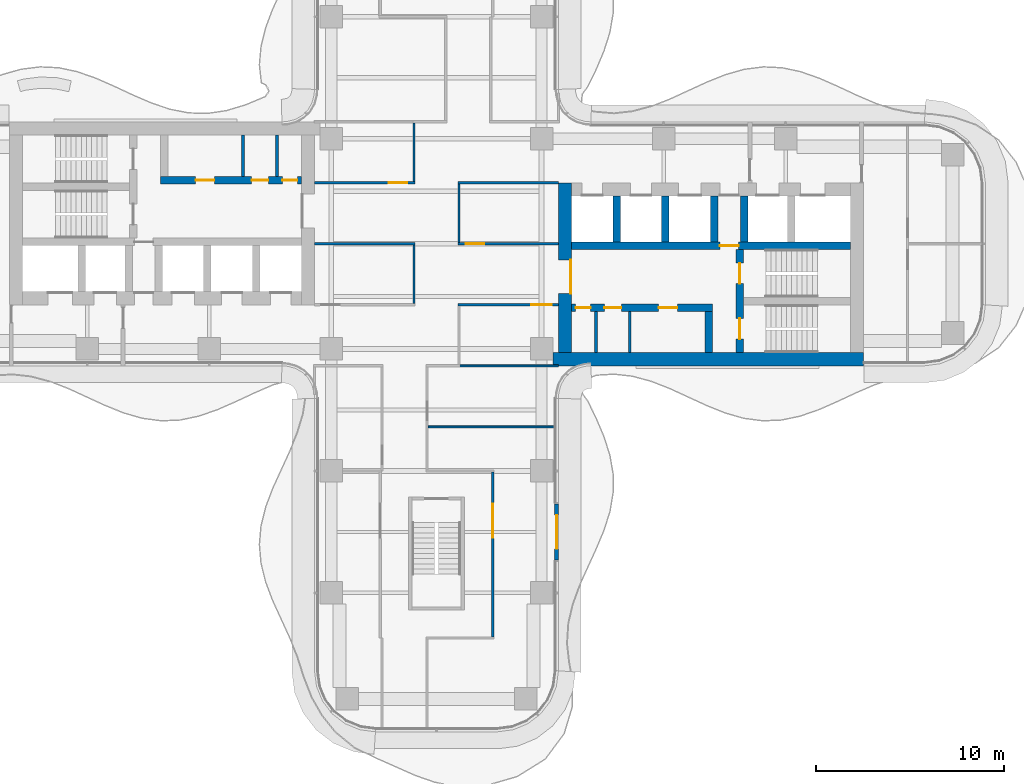
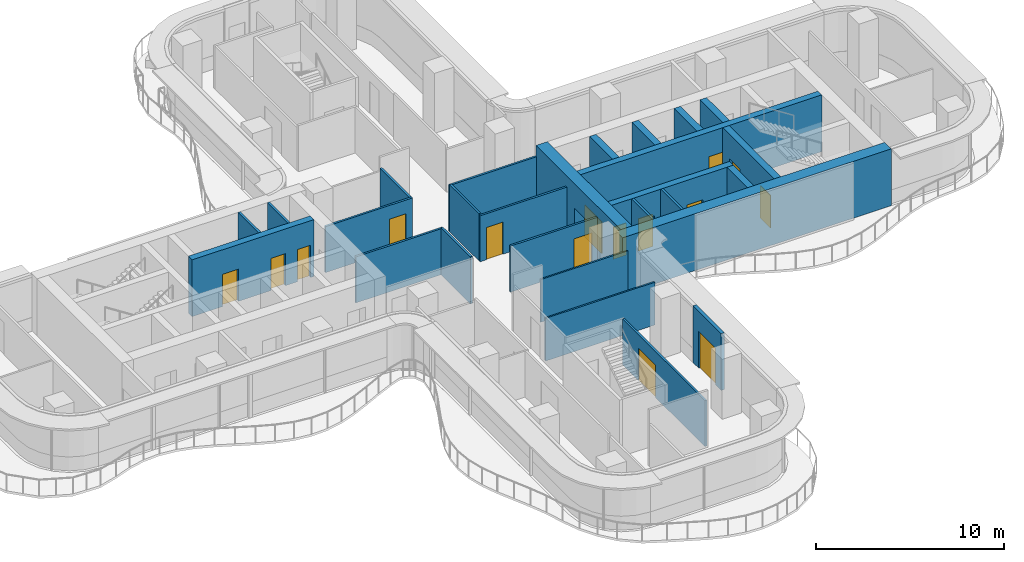
# One storey, part 13 of 17: 27 walls, 15 doors, 15 openings.
"""IFC4 building model written with IfcOpenShell, lengths in metres."""

from ifc_helpers import new_model, si_unit, direction, frame, frame_2d, origin, place, context, subcontext, project, spatial, rectangle, extrude, source, transform, mapped, material, layer, layer_set, type_object, element, fill, save


model = new_model("IFC4")

# Units and contexts
model_context = context("Model", 3, precision=1e-05, world=origin(), true_north=direction((0.0, 1.0)))
body_context = subcontext(model_context, "Body", "Model", "MODEL_VIEW")
ifc_project = project(units=[si_unit("LENGTHUNIT", "METRE"), si_unit("AREAUNIT", "SQUARE_METRE"), si_unit("VOLUMEUNIT", "CUBIC_METRE"), si_unit("PLANEANGLEUNIT", "RADIAN"), si_unit("MASSUNIT", "GRAM", prefix="KILO")], contexts=[model_context])

# Site, building, storey
site_placement = place(None, origin())
site = spatial("IfcSite", under=ifc_project, at=site_placement, CompositionType="ELEMENT")
building_placement = place(site_placement, origin())
building = spatial("IfcBuilding", under=site, at=building_placement, Name="Trellis Farm Tower", CompositionType="ELEMENT")
storey_placement = place(building_placement, frame((0.0, 0.0, 185.39990234375)))
storey = spatial("IfcBuildingStorey", under=building, at=storey_placement, Name="L40", CompositionType="ELEMENT", Elevation=185.39990234375)

# Wall, opening, door
ifc_material_1 = material(Name="Concrete C70/85", Category="concrete")
ifc_layer_1 = layer(ifc_material_1, 0.699951171875)
ifc_layer_set_1 = layer_set([ifc_layer_1], Name="CORE OUTER WALL 700 CONCRETE C70/85")
wall_type_1 = type_object("IfcWallType", Name="CORE OUTER WALL 700 CONCRETE C70/85", PredefinedType="SHEAR", material=ifc_layer_set_1)
shared_shape_1 = source(origin(), body_context, "Body", "SweptSolid", [
    extrude(rectangle(XDim=9.050048828125, YDim=0.699951171875, at=frame_2d((4.52490234375, 0.0))), origin(), (0.0, 0.0, 1.0), 3.7001953125),
])
wall_1_placement = place(storey_placement, frame((6.85009765625, -5.800048828125, 0.0), z_axis=(0.0, 0.0, 1.0), x_axis=(0.0, 1.0, 0.0)))
wall_1 = element("IfcWall", 1, at=wall_1_placement, inside=storey, type_object=wall_type_1, Name="Core wall", PredefinedType="SHEAR", context=body_context, shape_type="MappedRepresentation", body=[
    mapped(shared_shape_1, transform((0.0, 0.0, 0.0))),
])
shared_shape_2 = source(origin(), body_context, "Body", "SweptSolid", [
    extrude(rectangle(XDim=1.800048828125, YDim=2.10009765625, at=frame_2d((0.89990234375, 1.050048828125))), frame((0.0, 0.360107421875, 0.0), z_axis=(0.0, -1.0, 0.0), x_axis=(1.0, 0.0, 0.0)), (0.0, 0.0, 1.0), 0.72021484375),
])
opening_1_placement = place(wall_1_placement, frame((3.14990234375, 0.0, 0.0)))
opening_1 = element("IfcOpeningElement", 2, at=opening_1_placement, cuts=wall_1, Name="Opening DC1", PredefinedType="OPENING", context=body_context, shape_type="MappedRepresentation", body=[
    mapped(shared_shape_2, transform((0.0, 0.0, 0.0))),
])
ifc_material_2 = material(Name="Steel", Category="steel")
door_type_1 = type_object("IfcDoorType", Name="CORE FIRE DOOR DOUBLE 1800 X 2100", OperationType="DOUBLE_DOOR_SINGLE_SWING", PredefinedType="DOOR", material=ifc_material_2)
shared_shape_3 = source(origin(), body_context, "Body", "SweptSolid", [
    extrude(rectangle(XDim=1.800048828125, YDim=2.10009765625, at=frame_2d((0.89990234375, 1.050048828125))), frame((0.0, -0.27490234375, 0.0), z_axis=(0.0, -1.0, 0.0), x_axis=(1.0, 0.0, 0.0)), (0.0, 0.0, 1.0), 0.050048828125),
])
door_1_placement = place(opening_1_placement, origin())
door_1 = element("IfcDoor", 3, at=door_1_placement, inside=storey, type_object=door_type_1, Name="Core door", OperationType="DOUBLE_DOOR_SINGLE_SWING", OverallHeight=2.10009765625, OverallWidth=1.800048828125, PredefinedType="DOOR", context=body_context, shape_type="MappedRepresentation", body=[
    mapped(shared_shape_3, transform((0.0, 0.0, 0.0))),
])
fill(opening_1, door_1)

# Walls
ifc_layer_2 = layer(ifc_material_1, 0.39990234375)
ifc_layer_set_2 = layer_set([ifc_layer_2], Name="CORE INNER WALL 400 CONCRETE C70/85")
wall_type_2 = type_object("IfcWallType", Name="CORE INNER WALL 400 CONCRETE C70/85", PredefinedType="SHEAR", material=ifc_layer_set_2)
shared_shape_4 = source(origin(), body_context, "Body", "SweptSolid", [
    extrude(rectangle(XDim=2.449951171875, YDim=0.39990234375, at=frame_2d((1.22509765625, 0.0))), origin(), (0.0, 0.0, 1.0), 3.7001953125),
])
for number, where, z_axis, x_axis, name in (
    (4, (9.60009765625, 0.10009765625, 0.0), (0.0, 0.0, 1.0), (0.0, 1.0, 0.0), "Core wall"),
    (5, (12.199951171875, 0.10009765625, 0.0), (0.0, 0.0, 1.0), (0.0, 1.0, 0.0), "Core wall"),
    (6, (14.800048828125, 0.10009765625, 0.0), (0.0, 0.0, 1.0), (0.0, 1.0, 0.0), "Core wall"),
    (7, (16.39990234375, 0.10009765625, 0.0), (0.0, 0.0, 1.0), (0.0, 1.0, 0.0), "Core wall"),
):
    element("IfcWall", number, at=place(storey_placement, frame(where, z_axis=z_axis, x_axis=x_axis)), inside=storey, type_object=wall_type_2, Name=name, PredefinedType="SHEAR", context=body_context, shape_type="MappedRepresentation", body=[
        mapped(shared_shape_4, transform((0.0, 0.0, 0.0))),
    ])
shared_shape_5 = source(origin(), body_context, "Body", "SweptSolid", [
    extrude(rectangle(XDim=16.550048828125, YDim=0.699951171875, at=frame_2d((8.27490234375, 0.0))), origin(), (0.0, 0.0, 1.0), 3.7001953125),
])
wall_2_placement = place(storey_placement, frame((6.199951171875, -6.14990234375, 0.0), z_axis=(0.0, 0.0, 1.0), x_axis=(1.0, 0.0, 0.0)))
element("IfcWall", 8, at=wall_2_placement, inside=storey, type_object=wall_type_1, Name="Core wall", PredefinedType="SHEAR", context=body_context, shape_type="MappedRepresentation", body=[
    mapped(shared_shape_5, transform((0.0, 0.0, 0.0))),
])

# Wall, openings, doors
shared_shape_6 = source(origin(), body_context, "Body", "SweptSolid", [
    extrude(rectangle(XDim=7.5, YDim=0.39990234375, at=frame_2d((3.75, 0.0))), origin(), (0.0, 0.0, 1.0), 3.7001953125),
])
wall_3_placement = place(storey_placement, frame((7.199951171875, -3.39990234375, 0.0), z_axis=(0.0, 0.0, 1.0), x_axis=(1.0, 0.0, 0.0)))
wall_3 = element("IfcWall", 9, at=wall_3_placement, inside=storey, type_object=wall_type_2, Name="Core wall", PredefinedType="SHEAR", context=body_context, shape_type="MappedRepresentation", body=[
    mapped(shared_shape_6, transform((0.0, 0.0, 0.0))),
])
shared_shape_7 = source(origin(), body_context, "Body", "SweptSolid", [
    extrude(rectangle(XDim=0.800048828125, YDim=2.10009765625, at=frame_2d((0.39990234375, 1.050048828125))), frame((0.0, 0.2099609375, 0.0), z_axis=(0.0, -1.0, 0.0), x_axis=(1.0, 0.0, 0.0)), (0.0, 0.0, 1.0), 0.419921875),
])
opening_2_placement = place(wall_3_placement, frame((0.21240234375, 0.0, 0.0)))
opening_2 = element("IfcOpeningElement", 10, at=opening_2_placement, cuts=wall_3, Name="Opening DC51", PredefinedType="OPENING", context=body_context, shape_type="MappedRepresentation", body=[
    mapped(shared_shape_7, transform((0.0, 0.0, 0.0))),
])
shared_shape_8 = source(origin(), body_context, "Body", "SweptSolid", [
    extrude(rectangle(XDim=0.89990234375, YDim=2.10009765625, at=frame_2d((0.449951171875, 1.050048828125))), frame((0.0, 0.2099609375, 0.0), z_axis=(0.0, -1.0, 0.0), x_axis=(1.0, 0.0, 0.0)), (0.0, 0.0, 1.0), 0.419921875),
])
opening_3_placement = place(wall_3_placement, frame((1.75, 0.0, 0.0)))
opening_3 = element("IfcOpeningElement", 11, at=opening_3_placement, cuts=wall_3, Name="Opening DC60", PredefinedType="OPENING", context=body_context, shape_type="MappedRepresentation", body=[
    mapped(shared_shape_8, transform((0.0, 0.0, 0.0))),
])
shared_shape_9 = source(origin(), body_context, "Body", "SweptSolid", [
    extrude(rectangle(XDim=1.0, YDim=2.10009765625, at=frame_2d((0.5, 1.050048828125))), frame((0.0, 0.2099609375, 0.0), z_axis=(0.0, -1.0, 0.0), x_axis=(1.0, 0.0, 0.0)), (0.0, 0.0, 1.0), 0.419921875),
])
opening_4_placement = place(wall_3_placement, frame((4.637451171875, 0.0, 0.0)))
opening_4 = element("IfcOpeningElement", 12, at=opening_4_placement, cuts=wall_3, Name="Opening DC67", PredefinedType="OPENING", context=body_context, shape_type="MappedRepresentation", body=[
    mapped(shared_shape_9, transform((0.0, 0.0, 0.0))),
])
door_type_2 = type_object("IfcDoorType", Name="CORE FIRE DOOR 1000 X 2100", OperationType="NOTDEFINED", PredefinedType="DOOR", material=ifc_material_2)
shared_shape_10 = source(origin(), body_context, "Body", "SweptSolid", [
    extrude(rectangle(XDim=1.0, YDim=2.10009765625, at=frame_2d((0.5, 1.050048828125))), frame((0.0, 0.02490234375, 0.0), z_axis=(0.0, -1.0, 0.0), x_axis=(1.0, 0.0, 0.0)), (0.0, 0.0, 1.0), 0.050048828125),
])
door_2_placement = place(opening_4_placement, origin())
door_2 = element("IfcDoor", 13, at=door_2_placement, inside=storey, type_object=door_type_2, Name="Core door", OperationType="SINGLE_SWING_LEFT", OverallHeight=2.10009765625, OverallWidth=1.0, PredefinedType="DOOR", context=body_context, shape_type="MappedRepresentation", body=[
    mapped(shared_shape_10, transform((0.0, 0.0, 0.0))),
])
fill(opening_4, door_2)
door_type_3 = type_object("IfcDoorType", Name="CORE FIRE DOOR 900 X 2100", OperationType="NOTDEFINED", PredefinedType="DOOR", material=ifc_material_2)
shared_shape_11 = source(origin(), body_context, "Body", "SweptSolid", [
    extrude(rectangle(XDim=0.89990234375, YDim=2.10009765625, at=frame_2d((0.449951171875, 1.050048828125))), frame((0.0, 0.02490234375, 0.0), z_axis=(0.0, -1.0, 0.0), x_axis=(1.0, 0.0, 0.0)), (0.0, 0.0, 1.0), 0.050048828125),
])
door_3_placement = place(opening_3_placement, origin())
door_3 = element("IfcDoor", 14, at=door_3_placement, inside=storey, type_object=door_type_3, Name="Core door", OperationType="SINGLE_SWING_RIGHT", OverallHeight=2.10009765625, OverallWidth=0.89990234375, PredefinedType="DOOR", context=body_context, shape_type="MappedRepresentation", body=[
    mapped(shared_shape_11, transform((0.0, 0.0, 0.0))),
])
fill(opening_3, door_3)
door_type_4 = type_object("IfcDoorType", Name="CORE FIRE DOOR 800 X 2100", OperationType="NOTDEFINED", PredefinedType="DOOR", material=ifc_material_2)
shared_shape_12 = source(origin(), body_context, "Body", "SweptSolid", [
    extrude(rectangle(XDim=0.800048828125, YDim=2.10009765625, at=frame_2d((0.39990234375, 1.050048828125))), frame((0.0, 0.02490234375, 0.0), z_axis=(0.0, -1.0, 0.0), x_axis=(1.0, 0.0, 0.0)), (0.0, 0.0, 1.0), 0.050048828125),
])
door_4_placement = place(opening_2_placement, origin())
door_4 = element("IfcDoor", 15, at=door_4_placement, inside=storey, type_object=door_type_4, Name="Core door", OperationType="SINGLE_SWING_LEFT", OverallHeight=2.10009765625, OverallWidth=0.800048828125, PredefinedType="DOOR", context=body_context, shape_type="MappedRepresentation", body=[
    mapped(shared_shape_12, transform((0.0, 0.0, 0.0))),
])
fill(opening_2, door_4)

wall_4_placement = place(storey_placement, frame((-7.199951171875, 3.39990234375, 0.0), z_axis=(0.0, 0.0, 1.0), x_axis=(-1.0, 0.0, 0.0)))
wall_4 = element("IfcWall", 16, at=wall_4_placement, inside=storey, type_object=wall_type_2, Name="Core wall", PredefinedType="SHEAR", context=body_context, shape_type="MappedRepresentation", body=[
    mapped(shared_shape_6, transform((0.0, 0.0, 0.0))),
])
opening_5_placement = place(wall_4_placement, frame((0.21240234375, 0.0, 0.0)))
opening_5 = element("IfcOpeningElement", 17, at=opening_5_placement, cuts=wall_4, Name="Opening DC137", PredefinedType="OPENING", context=body_context, shape_type="MappedRepresentation", body=[
    mapped(shared_shape_7, transform((0.0, 0.0, 0.0))),
])
opening_6_placement = place(wall_4_placement, frame((1.75, 0.0, 0.0)))
opening_6 = element("IfcOpeningElement", 18, at=opening_6_placement, cuts=wall_4, Name="Opening DC146", PredefinedType="OPENING", context=body_context, shape_type="MappedRepresentation", body=[
    mapped(shared_shape_8, transform((0.0, 0.0, 0.0))),
])
opening_7_placement = place(wall_4_placement, frame((4.637451171875, 0.0, 0.0)))
opening_7 = element("IfcOpeningElement", 19, at=opening_7_placement, cuts=wall_4, Name="Opening DC153", PredefinedType="OPENING", context=body_context, shape_type="MappedRepresentation", body=[
    mapped(shared_shape_9, transform((0.0, 0.0, 0.0))),
])
door_5_placement = place(opening_7_placement, origin())
door_5 = element("IfcDoor", 20, at=door_5_placement, inside=storey, type_object=door_type_2, Name="Core door", OperationType="SINGLE_SWING_LEFT", OverallHeight=2.10009765625, OverallWidth=1.0, PredefinedType="DOOR", context=body_context, shape_type="MappedRepresentation", body=[
    mapped(shared_shape_10, transform((0.0, 0.0, 0.0))),
])
fill(opening_7, door_5)
door_6_placement = place(opening_6_placement, origin())
door_6 = element("IfcDoor", 21, at=door_6_placement, inside=storey, type_object=door_type_3, Name="Core door", OperationType="SINGLE_SWING_RIGHT", OverallHeight=2.10009765625, OverallWidth=0.89990234375, PredefinedType="DOOR", context=body_context, shape_type="MappedRepresentation", body=[
    mapped(shared_shape_11, transform((0.0, 0.0, 0.0))),
])
fill(opening_6, door_6)
door_7_placement = place(opening_5_placement, origin())
door_7 = element("IfcDoor", 22, at=door_7_placement, inside=storey, type_object=door_type_4, Name="Core door", OperationType="SINGLE_SWING_LEFT", OverallHeight=2.10009765625, OverallWidth=0.800048828125, PredefinedType="DOOR", context=body_context, shape_type="MappedRepresentation", body=[
    mapped(shared_shape_12, transform((0.0, 0.0, 0.0))),
])
fill(opening_5, door_7)

# Wall, opening, door
shared_shape_13 = source(origin(), body_context, "Body", "SweptSolid", [
    extrude(rectangle(XDim=14.85009765625, YDim=0.39990234375, at=frame_2d((7.425048828125, 0.0))), origin(), (0.0, 0.0, 1.0), 3.7001953125),
])
wall_5_placement = place(storey_placement, frame((7.199951171875, -0.10009765625, 0.0), z_axis=(0.0, 0.0, 1.0), x_axis=(1.0, 0.0, 0.0)))
wall_5 = element("IfcWall", 23, at=wall_5_placement, inside=storey, type_object=wall_type_2, Name="Core wall", PredefinedType="SHEAR", context=body_context, shape_type="MappedRepresentation", body=[
    mapped(shared_shape_13, transform((0.0, 0.0, 0.0))),
])
opening_8_placement = place(wall_5_placement, frame((7.89990234375, 0.0, 0.0)))
opening_8 = element("IfcOpeningElement", 24, at=opening_8_placement, cuts=wall_5, Name="Opening DC5", PredefinedType="OPENING", context=body_context, shape_type="MappedRepresentation", body=[
    mapped(shared_shape_9, transform((0.0, 0.0, 0.0))),
])
door_8_placement = place(opening_8_placement, origin())
door_8 = element("IfcDoor", 25, at=door_8_placement, inside=storey, type_object=door_type_2, Name="Core door", OperationType="SINGLE_SWING_RIGHT", OverallHeight=2.10009765625, OverallWidth=1.0, PredefinedType="DOOR", context=body_context, shape_type="MappedRepresentation", body=[
    mapped(shared_shape_10, transform((0.0, 0.0, 0.0))),
])
fill(opening_8, door_8)

# Wall, openings, doors
shared_shape_14 = source(origin(), body_context, "Body", "SweptSolid", [
    extrude(rectangle(XDim=5.5, YDim=0.39990234375, at=frame_2d((2.75, 0.0))), origin(), (0.0, 0.0, 1.0), 3.7001953125),
])
wall_6_placement = place(storey_placement, frame((16.14990234375, -5.800048828125, 0.0), z_axis=(0.0, 0.0, 1.0), x_axis=(0.0, 1.0, 0.0)))
wall_6 = element("IfcWall", 26, at=wall_6_placement, inside=storey, type_object=wall_type_2, Name="Core wall", PredefinedType="SHEAR", context=body_context, shape_type="MappedRepresentation", body=[
    mapped(shared_shape_14, transform((0.0, 0.0, 0.0))),
])
shared_shape_15 = source(origin(), body_context, "Body", "SweptSolid", [
    extrude(rectangle(XDim=1.10009765625, YDim=2.10009765625, at=frame_2d((0.550048828125, 1.050048828125))), frame((0.0, 0.2099609375, 0.0), z_axis=(0.0, -1.0, 0.0), x_axis=(1.0, 0.0, 0.0)), (0.0, 0.0, 1.0), 0.419921875),
])
opening_9_placement = place(wall_6_placement, frame((0.72509765625, 0.0, 0.0)))
opening_9 = element("IfcOpeningElement", 27, at=opening_9_placement, cuts=wall_6, Name="Opening DC2", PredefinedType="OPENING", context=body_context, shape_type="MappedRepresentation", body=[
    mapped(shared_shape_15, transform((0.0, 0.0, 0.0))),
])
opening_10_placement = place(wall_6_placement, frame((3.675048828125, 0.0, 0.0)))
opening_10 = element("IfcOpeningElement", 28, at=opening_10_placement, cuts=wall_6, Name="Opening DC3", PredefinedType="OPENING", context=body_context, shape_type="MappedRepresentation", body=[
    mapped(shared_shape_15, transform((0.0, 0.0, 0.0))),
])
door_type_5 = type_object("IfcDoorType", Name="CORE FIRE DOOR 1100 X 2100", OperationType="NOTDEFINED", PredefinedType="DOOR", material=ifc_material_2)
shared_shape_16 = source(origin(), body_context, "Body", "SweptSolid", [
    extrude(rectangle(XDim=1.10009765625, YDim=2.10009765625, at=frame_2d((0.550048828125, 1.050048828125))), frame((0.0, 0.02490234375, 0.0), z_axis=(0.0, -1.0, 0.0), x_axis=(1.0, 0.0, 0.0)), (0.0, 0.0, 1.0), 0.050048828125),
])
door_9_placement = place(opening_9_placement, origin())
door_9 = element("IfcDoor", 29, at=door_9_placement, inside=storey, type_object=door_type_5, Name="Core door", OperationType="SINGLE_SWING_RIGHT", OverallHeight=2.10009765625, OverallWidth=1.10009765625, PredefinedType="DOOR", context=body_context, shape_type="MappedRepresentation", body=[
    mapped(shared_shape_16, transform((0.0, 0.0, 0.0))),
])
fill(opening_9, door_9)
door_10_placement = place(opening_10_placement, origin())
door_10 = element("IfcDoor", 30, at=door_10_placement, inside=storey, type_object=door_type_5, Name="Core door", OperationType="SINGLE_SWING_LEFT", OverallHeight=2.10009765625, OverallWidth=1.10009765625, PredefinedType="DOOR", context=body_context, shape_type="MappedRepresentation", body=[
    mapped(shared_shape_16, transform((0.0, 0.0, 0.0))),
])
fill(opening_10, door_10)

# Walls
shared_shape_17 = source(origin(), body_context, "Body", "SweptSolid", [
    extrude(rectangle(XDim=2.199951171875, YDim=0.39990234375, at=frame_2d((1.10009765625, 0.0))), origin(), (0.0, 0.0, 1.0), 3.7001953125),
])
wall_7_placement = place(storey_placement, frame((14.5, -5.800048828125, 0.0), z_axis=(0.0, 0.0, 1.0), x_axis=(0.0, 1.0, 0.0)))
element("IfcWall", 31, at=wall_7_placement, inside=storey, type_object=wall_type_2, Name="Core wall", PredefinedType="SHEAR", context=body_context, shape_type="MappedRepresentation", body=[
    mapped(shared_shape_17, transform((0.0, 0.0, 0.0))),
])
ifc_material_3 = material(Name="Masonry blockwork", Category="masonry")
ifc_layer_3 = layer(ifc_material_3, 0.14990234375)
ifc_layer_set_3 = layer_set([ifc_layer_3], Name="CORE PARTITION 150 BLOCKWORK")
wall_type_3 = type_object("IfcWallType", Name="CORE PARTITION 150 BLOCKWORK", PredefinedType="PARTITIONING", material=ifc_layer_set_3)
shared_shape_18 = source(origin(), body_context, "Body", "SweptSolid", [
    extrude(rectangle(XDim=2.199951171875, YDim=0.14990234375, at=frame_2d((1.10009765625, 0.0))), origin(), (0.0, 0.0, 1.0), 3.7001953125),
])
for number, where, z_axis, x_axis, name in (
    (32, (8.5, -5.800048828125, 0.0), (0.0, 0.0, 1.0), (0.0, 1.0, 0.0), "Core room partition"),
    (33, (10.300048828125, -5.800048828125, 0.0), (0.0, 0.0, 1.0), (0.0, 1.0, 0.0), "Core room partition"),
    (34, (-8.5, 5.800048828125, 0.0), (0.0, 0.0, 1.0), (0.0, -1.0, 0.0), "Core room partition"),
    (35, (-10.300048828125, 5.800048828125, 0.0), (0.0, 0.0, 1.0), (0.0, -1.0, 0.0), "Core room partition"),
):
    element("IfcWall", number, at=place(storey_placement, frame(where, z_axis=z_axis, x_axis=x_axis)), inside=storey, type_object=wall_type_3, Name=name, PredefinedType="PARTITIONING", context=body_context, shape_type="MappedRepresentation", body=[
        mapped(shared_shape_18, transform((0.0, 0.0, 0.0))),
    ])

# Wall, opening, door
ifc_material_4 = material(Name="Sandstone faced insulated wall", Category="masonry")
ifc_layer_4 = layer(ifc_material_4, 0.199951171875)
ifc_layer_set_4 = layer_set([ifc_layer_4], Name="EXTERNAL INFILL WALL 200")
wall_type_4 = type_object("IfcWallType", Name="EXTERNAL INFILL WALL 200", PredefinedType="SOLIDWALL", material=ifc_layer_set_4)
shared_shape_19 = source(origin(), body_context, "Body", "SweptSolid", [
    extrude(rectangle(XDim=3.0, YDim=0.199951171875, at=frame_2d((1.5, 0.0))), origin(), (0.0, 0.0, 1.0), 3.7001953125),
])
wall_8_placement = place(storey_placement, frame((6.39990234375, -16.85009765625, 0.0), z_axis=(0.0, 0.0, 1.0), x_axis=(0.0, 1.0, 0.0)))
wall_8 = element("IfcWall", 36, at=wall_8_placement, inside=storey, type_object=wall_type_4, Name="EW1 01", PredefinedType="SOLIDWALL", context=body_context, shape_type="MappedRepresentation", body=[
    mapped(shared_shape_19, transform((0.0, 0.0, 0.0))),
])
shared_shape_20 = source(origin(), body_context, "Body", "SweptSolid", [
    extrude(rectangle(XDim=1.800048828125, YDim=2.39990234375, at=frame_2d((0.89990234375, 1.199951171875))), frame((0.0, 0.110107421875, 0.0), z_axis=(0.0, -1.0, 0.0), x_axis=(1.0, 0.0, 0.0)), (0.0, 0.0, 1.0), 0.22021484375),
])
opening_11_placement = place(wall_8_placement, frame((0.60009765625, 0.0, 0.0)))
opening_11 = element("IfcOpeningElement", 37, at=opening_11_placement, cuts=wall_8, Name="Opening ED1", PredefinedType="OPENING", context=body_context, shape_type="MappedRepresentation", body=[
    mapped(shared_shape_20, transform((0.0, 0.0, 0.0))),
])
ifc_material_5 = material(Name="Aluminium framed glazed door", Category="aluminium")
door_type_6 = type_object("IfcDoorType", Name="BALCONY DOOR 1800x2400", OperationType="DOUBLE_DOOR_SINGLE_SWING", PredefinedType="DOOR", material=ifc_material_5)
shared_shape_21 = source(origin(), body_context, "Body", "SweptSolid", [
    extrude(rectangle(XDim=1.800048828125, YDim=2.39990234375, at=frame_2d((0.89990234375, 1.199951171875))), frame((0.0, 0.02490234375, 0.0), z_axis=(0.0, -1.0, 0.0), x_axis=(1.0, 0.0, 0.0)), (0.0, 0.0, 1.0), 0.050048828125),
])
door_11_placement = place(opening_11_placement, origin())
door_11 = element("IfcDoor", 38, at=door_11_placement, inside=storey, type_object=door_type_6, Name="Balcony door", OperationType="DOUBLE_DOOR_SINGLE_SWING", OverallHeight=2.39990234375, OverallWidth=1.800048828125, PredefinedType="DOOR", context=body_context, shape_type="MappedRepresentation", body=[
    mapped(shared_shape_21, transform((0.0, 0.0, 0.0))),
])
fill(opening_11, door_11)

# Walls
ifc_material_6 = material(Name="Plasterboard on steel studs, mineral wool", Category="steel")
ifc_layer_5 = layer(ifc_material_6, 0.125)
ifc_layer_set_5 = layer_set([ifc_layer_5], Name="PARTITION 125 STUD EI 60")
wall_type_5 = type_object("IfcWallType", Name="PARTITION 125 STUD EI 60", PredefinedType="PARTITIONING", material=ifc_layer_set_5)
shared_shape_22 = source(origin(), body_context, "Body", "SweptSolid", [
    extrude(rectangle(XDim=3.137451171875, YDim=0.125, at=frame_2d((1.56884765625, 0.0))), origin(), (0.0, 0.0, 1.0), 2.99658203125),
])
wall_9_placement = place(storey_placement, frame((-1.199951171875, 6.449951171875, 0.0), z_axis=(0.0, 0.0, 1.0), x_axis=(0.0, -1.0, 0.0)))
element("IfcWall", 39, at=wall_9_placement, inside=storey, type_object=wall_type_5, Name="Partition PW1", PredefinedType="PARTITIONING", context=body_context, shape_type="MappedRepresentation", body=[
    mapped(shared_shape_22, transform((0.0, 0.0, 0.0))),
])
shared_shape_23 = source(origin(), body_context, "Body", "SweptSolid", [
    extrude(rectangle(XDim=3.125, YDim=0.125, at=frame_2d((1.5625, 0.0))), origin(), (0.0, 0.0, 1.0), 3.06787109375),
])
for number, where, z_axis, x_axis, name in (
    (40, (-1.199951171875, -0.0625, 0.0), (0.0, 0.0, 1.0), (0.0, -1.0, 0.0), "Partition PW1"),
    (41, (1.199951171875, 3.1875, 0.0), (0.0, 0.0, 1.0), (0.0, -1.0, 0.0), "Partition PW1"),
):
    element("IfcWall", number, at=place(storey_placement, frame(where, z_axis=z_axis, x_axis=x_axis)), inside=storey, type_object=wall_type_5, Name=name, PredefinedType="PARTITIONING", context=body_context, shape_type="MappedRepresentation", body=[
        mapped(shared_shape_23, transform((0.0, 0.0, 0.0))),
    ])

# Wall, opening, door
shared_shape_24 = source(origin(), body_context, "Body", "SweptSolid", [
    extrude(rectangle(XDim=5.362548828125, YDim=0.125, at=frame_2d((2.68115234375, 0.0))), origin(), (0.0, 0.0, 1.0), 2.99658203125),
])
wall_10_placement = place(storey_placement, frame((6.5, -3.25, 0.0), z_axis=(0.0, 0.0, 1.0), x_axis=(-1.0, 0.0, 0.0)))
wall_10 = element("IfcWall", 42, at=wall_10_placement, inside=storey, type_object=wall_type_5, Name="Partition PW1", PredefinedType="PARTITIONING", context=body_context, shape_type="MappedRepresentation", body=[
    mapped(shared_shape_24, transform((0.0, 0.0, 0.0))),
])
shared_shape_25 = source(origin(), body_context, "Body", "SweptSolid", [
    extrude(rectangle(XDim=1.10009765625, YDim=2.10009765625, at=frame_2d((0.550048828125, 1.050048828125))), frame((0.0, 0.072509765625, 0.0), z_axis=(0.0, -1.0, 0.0), x_axis=(1.0, 0.0, 0.0)), (0.0, 0.0, 1.0), 0.14501953125),
])
opening_12_placement = place(wall_10_placement, frame((0.35009765625, 0.0, 0.0)))
opening_12 = element("IfcOpeningElement", 43, at=opening_12_placement, cuts=wall_10, Name="Opening D501", PredefinedType="OPENING", context=body_context, shape_type="MappedRepresentation", body=[
    mapped(shared_shape_25, transform((0.0, 0.0, 0.0))),
])
ifc_material_7 = material(Name="Fire-rated timber door leaf in a hollow metal frame", Category="wood")
door_type_7 = type_object("IfcDoorType", Name="DOOR 1100x2100 FD30S", OperationType="NOTDEFINED", PredefinedType="DOOR", material=ifc_material_7)
door_12_placement = place(opening_12_placement, origin())
door_12 = element("IfcDoor", 44, at=door_12_placement, inside=storey, type_object=door_type_7, Name="Door D501", OperationType="SINGLE_SWING_LEFT", OverallHeight=2.10009765625, OverallWidth=1.10009765625, PredefinedType="DOOR", context=body_context, shape_type="MappedRepresentation", body=[
    mapped(shared_shape_16, transform((0.0, 0.0, 0.0))),
])
fill(opening_12, door_12)

# Wall
wall_11_placement = place(storey_placement, frame((-1.137451171875, 0.0, 0.0), z_axis=(0.0, 0.0, 1.0), x_axis=(-1.0, 0.0, 0.0)))
element("IfcWall", 45, at=wall_11_placement, inside=storey, type_object=wall_type_5, Name="Partition PW1", PredefinedType="PARTITIONING", context=body_context, shape_type="MappedRepresentation", body=[
    mapped(shared_shape_24, transform((0.0, 0.0, 0.0))),
])

# Wall, opening, door
wall_12_placement = place(storey_placement, frame((6.5, 0.0, 0.0), z_axis=(0.0, 0.0, 1.0), x_axis=(-1.0, 0.0, 0.0)))
wall_12 = element("IfcWall", 46, at=wall_12_placement, inside=storey, type_object=wall_type_5, Name="Partition PW1", PredefinedType="PARTITIONING", context=body_context, shape_type="MappedRepresentation", body=[
    mapped(shared_shape_24, transform((0.0, 0.0, 0.0))),
])
shared_shape_26 = source(origin(), body_context, "Body", "SweptSolid", [
    extrude(rectangle(XDim=1.0, YDim=2.10009765625, at=frame_2d((0.5, 1.050048828125))), frame((0.0, 0.072509765625, 0.0), z_axis=(0.0, -1.0, 0.0), x_axis=(1.0, 0.0, 0.0)), (0.0, 0.0, 1.0), 0.14501953125),
])
opening_13_placement = place(wall_12_placement, frame((3.949951171875, 0.0, 0.0)))
opening_13 = element("IfcOpeningElement", 47, at=opening_13_placement, cuts=wall_12, Name="Opening D106", PredefinedType="OPENING", context=body_context, shape_type="MappedRepresentation", body=[
    mapped(shared_shape_26, transform((0.0, 0.0, 0.0))),
])
door_type_8 = type_object("IfcDoorType", Name="DOOR 1000x2100 FD30S", OperationType="NOTDEFINED", PredefinedType="DOOR", material=ifc_material_7)
door_13_placement = place(opening_13_placement, origin())
door_13 = element("IfcDoor", 48, at=door_13_placement, inside=storey, type_object=door_type_8, Name="Door D106", OperationType="SINGLE_SWING_RIGHT", OverallHeight=2.10009765625, OverallWidth=1.0, PredefinedType="DOOR", context=body_context, shape_type="MappedRepresentation", body=[
    mapped(shared_shape_10, transform((0.0, 0.0, 0.0))),
])
fill(opening_13, door_13)

wall_13_placement = place(storey_placement, frame((-6.5, 3.25, 0.0), z_axis=(0.0, 0.0, 1.0), x_axis=(1.0, 0.0, 0.0)))
wall_13 = element("IfcWall", 49, at=wall_13_placement, inside=storey, type_object=wall_type_5, Name="Partition PW1", PredefinedType="PARTITIONING", context=body_context, shape_type="MappedRepresentation", body=[
    mapped(shared_shape_24, transform((0.0, 0.0, 0.0))),
])
opening_14_placement = place(wall_13_placement, frame((3.949951171875, 0.0, 0.0)))
opening_14 = element("IfcOpeningElement", 50, at=opening_14_placement, cuts=wall_13, Name="Opening D108", PredefinedType="OPENING", context=body_context, shape_type="MappedRepresentation", body=[
    mapped(shared_shape_26, transform((0.0, 0.0, 0.0))),
])
door_14_placement = place(opening_14_placement, origin())
door_14 = element("IfcDoor", 51, at=door_14_placement, inside=storey, type_object=door_type_8, Name="Door D108", OperationType="SINGLE_SWING_RIGHT", OverallHeight=2.10009765625, OverallWidth=1.0, PredefinedType="DOOR", context=body_context, shape_type="MappedRepresentation", body=[
    mapped(shared_shape_10, transform((0.0, 0.0, 0.0))),
])
fill(opening_14, door_14)

# Walls
wall_14_placement = place(storey_placement, frame((1.137451171875, 3.25, 0.0), z_axis=(0.0, 0.0, 1.0), x_axis=(1.0, 0.0, 0.0)))
element("IfcWall", 52, at=wall_14_placement, inside=storey, type_object=wall_type_5, Name="Partition PW1", PredefinedType="PARTITIONING", context=body_context, shape_type="MappedRepresentation", body=[
    mapped(shared_shape_24, transform((0.0, 0.0, 0.0))),
])
ifc_material_8 = material(Name="Plasterboard on steel studs", Category="steel")
ifc_layer_6 = layer(ifc_material_8, 0.10009765625)
ifc_layer_set_6 = layer_set([ifc_layer_6], Name="PARTITION 100 STUD EI 30")
wall_type_6 = type_object("IfcWallType", Name="PARTITION 100 STUD EI 30", PredefinedType="PARTITIONING", material=ifc_layer_set_6)
shared_shape_27 = source(origin(), body_context, "Body", "SweptSolid", [
    extrude(rectangle(XDim=5.362548828125, YDim=0.10009765625, at=frame_2d((2.68115234375, 0.0))), origin(), (0.0, 0.0, 1.0), 2.780029296875),
])
wall_15_placement = place(storey_placement, frame((1.137451171875, -6.5, 0.0), z_axis=(0.0, 0.0, 1.0), x_axis=(1.0, 0.0, 0.0)))
element("IfcWall", 53, at=wall_15_placement, inside=storey, type_object=wall_type_6, Name="Partition PW2", PredefinedType="PARTITIONING", context=body_context, shape_type="MappedRepresentation", body=[
    mapped(shared_shape_27, transform((0.0, 0.0, 0.0))),
])

# Wall, opening, door
shared_shape_28 = source(origin(), body_context, "Body", "SweptSolid", [
    extrude(rectangle(XDim=8.77490234375, YDim=0.125, at=frame_2d((4.387451171875, 0.0))), origin(), (0.0, 0.0, 1.0), 2.99658203125),
])
wall_16_placement = place(storey_placement, frame((3.0, -12.16259765625, 0.0), z_axis=(0.0, 0.0, 1.0), x_axis=(0.0, -1.0, 0.0)))
wall_16 = element("IfcWall", 54, at=wall_16_placement, inside=storey, type_object=wall_type_5, Name="Partition PW1", PredefinedType="PARTITIONING", context=body_context, shape_type="MappedRepresentation", body=[
    mapped(shared_shape_28, transform((0.0, 0.0, 0.0))),
])
shared_shape_29 = source(origin(), body_context, "Body", "SweptSolid", [
    extrude(rectangle(XDim=1.800048828125, YDim=2.10009765625, at=frame_2d((0.89990234375, 1.050048828125))), frame((0.0, 0.072509765625, 0.0), z_axis=(0.0, -1.0, 0.0), x_axis=(1.0, 0.0, 0.0)), (0.0, 0.0, 1.0), 0.14501953125),
])
opening_15_placement = place(wall_16_placement, frame((1.6875, 0.0, 0.0)))
opening_15 = element("IfcOpeningElement", 55, at=opening_15_placement, cuts=wall_16, Name="Opening D202", PredefinedType="OPENING", context=body_context, shape_type="MappedRepresentation", body=[
    mapped(shared_shape_29, transform((0.0, 0.0, 0.0))),
])
door_type_9 = type_object("IfcDoorType", Name="DOOR PAIR 1800x2100 FD30S", OperationType="NOTDEFINED", PredefinedType="DOOR", material=ifc_material_7)
shared_shape_30 = source(origin(), body_context, "Body", "SweptSolid", [
    extrude(rectangle(XDim=1.800048828125, YDim=2.10009765625, at=frame_2d((0.89990234375, 1.050048828125))), frame((0.0, 0.02490234375, 0.0), z_axis=(0.0, -1.0, 0.0), x_axis=(1.0, 0.0, 0.0)), (0.0, 0.0, 1.0), 0.050048828125),
])
door_15_placement = place(opening_15_placement, origin())
door_15 = element("IfcDoor", 56, at=door_15_placement, inside=storey, type_object=door_type_9, Name="Door D202", OperationType="DOUBLE_DOOR_SINGLE_SWING", OverallHeight=2.10009765625, OverallWidth=1.800048828125, PredefinedType="DOOR", context=body_context, shape_type="MappedRepresentation", body=[
    mapped(shared_shape_30, transform((0.0, 0.0, 0.0))),
])
fill(opening_15, door_15)

# Wall
shared_shape_31 = source(origin(), body_context, "Body", "SweptSolid", [
    extrude(rectangle(XDim=6.737548828125, YDim=0.10009765625, at=frame_2d((3.36865234375, 0.0))), origin(), (0.0, 0.0, 1.0), 2.780029296875),
])
wall_17_placement = place(storey_placement, frame((-0.4375, -9.75, 0.0), z_axis=(0.0, 0.0, 1.0), x_axis=(1.0, 0.0, 0.0)))
element("IfcWall", 57, at=wall_17_placement, inside=storey, type_object=wall_type_6, Name="Partition PW2", PredefinedType="PARTITIONING", context=body_context, shape_type="MappedRepresentation", body=[
    mapped(shared_shape_31, transform((0.0, 0.0, 0.0))),
])

save(model, "model.ifc")
